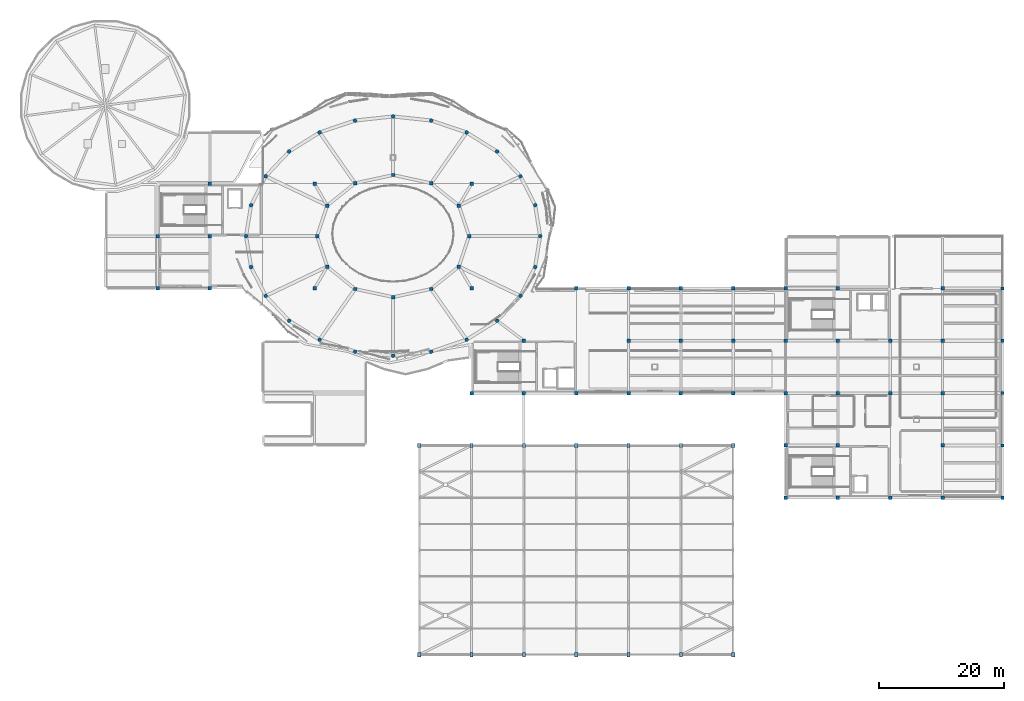
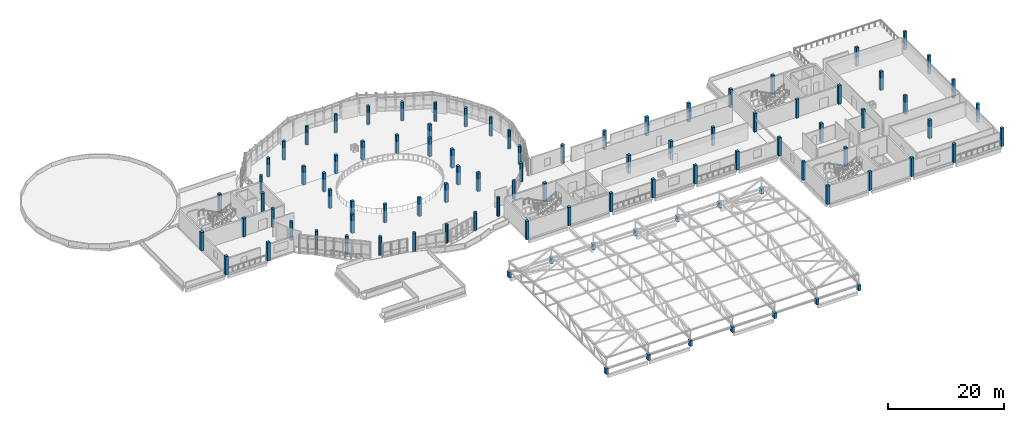
# One storey, part 1 of 74: 96 columns.
"""IFC4 building model written with IfcOpenShell, lengths in metres."""

import ifcopenshell
import ifcopenshell.guid

model = None  # the IFC model being written
_history = None  # IfcOwnerHistory: only IFC2X3 demands one
_inside = {}  # id of a spatial element -> (the spatial element, [elements in it])
_under = {}  # id of a project, library or spatial element -> (it, [spatial elements below it])
_declared = {}  # id of a project -> (the project, [libraries it declares])
_typed = {}  # id of a type object -> (the type object, [elements of that type])
_made_of = {}  # id of a material, layer set ... -> (it, [elements and type objects made of it])


def new_model(schema):
    """Start an empty IFC model of exactly this schema.

    Asked for "IFC4X3", IfcOpenShell would pick the latest addendum, in which some entities
    have other attributes; the version numbers below select the first issue.
    IFC2X3 requires an IfcOwnerHistory on every rooted entity: one is made here for all.
    """
    global model, _history
    if schema == "IFC4X3":
        model = ifcopenshell.file(schema_version=(4, 3, 0, 0))
    else:
        model = ifcopenshell.file(schema=schema)
    _inside.clear()
    _under.clear()
    _declared.clear()
    _typed.clear()
    _made_of.clear()
    _history = None
    if model.schema == "IFC2X3":
        org = make("IfcOrganization", Name="unknown")
        user = make(
            "IfcPersonAndOrganization",
            ThePerson=make("IfcPerson", FamilyName="unknown"),
            TheOrganization=org,
        )
        app = make(
            "IfcApplication",
            ApplicationDeveloper=org,
            Version="unknown",
            ApplicationFullName="unknown",
            ApplicationIdentifier="unknown",
        )
        _history = make(
            "IfcOwnerHistory",
            OwningUser=user,
            OwningApplication=app,
            ChangeAction="ADDED",
            CreationDate=0,
        )
    return model


def make(cls, **values):
    """One entity of the class cls with the attributes given. An attribute that is None is left unset."""
    return model.create_entity(
        cls, **{name: value for name, value in values.items() if value is not None}
    )


def rooted(cls, **values):
    """An entity with a GlobalId (a new one), such as an element, a storey or a relation."""
    return make(cls, GlobalId=ifcopenshell.guid.new(), OwnerHistory=_history, **values)


def si_unit(unit_type, name, prefix=None):
    """IfcSIUnit, for example si_unit("LENGTHUNIT", "METRE", prefix="MILLI")."""
    return make("IfcSIUnit", UnitType=unit_type, Prefix=prefix, Name=name)


def derived_unit(unit_type, elements):
    """IfcDerivedUnit: a product of units, each with its exponent."""
    return make(
        "IfcDerivedUnit",
        Elements=[
            make("IfcDerivedUnitElement", Unit=unit, Exponent=power)
            for unit, power in elements
        ],
        UnitType=unit_type,
    )


def assignment(units):
    """IfcUnitAssignment: the units of a project."""
    return None if units is None else make("IfcUnitAssignment", Units=units)


def point(xyz):
    """IfcCartesianPoint."""
    return None if xyz is None else make("IfcCartesianPoint", Coordinates=xyz)


def direction(xyz):
    """IfcDirection."""
    return None if xyz is None else make("IfcDirection", DirectionRatios=xyz)


def frame(location, z_axis=None, x_axis=None):
    """IfcAxis2Placement3D, a coordinate frame: its origin and axes. An axis left out is left unset."""
    return make(
        "IfcAxis2Placement3D",
        Location=point(location),
        Axis=direction(z_axis),
        RefDirection=direction(x_axis),
    )


def frame_2d(location, x_axis=None):
    """IfcAxis2Placement2D, a coordinate frame in the plane: its origin and x axis."""
    return make(
        "IfcAxis2Placement2D", Location=point(location), RefDirection=direction(x_axis)
    )


def origin():
    """The frame at (0, 0, 0) with its axes left unset."""
    return frame((0.0, 0.0, 0.0))


def origin_2d():
    """The frame at (0, 0) in the plane with its x axis left unset."""
    return frame_2d((0.0, 0.0))


def place(relative_to, where):
    """IfcLocalPlacement: puts the frame where relative to a parent placement (None: the world)."""
    return make(
        "IfcLocalPlacement", PlacementRelTo=relative_to, RelativePlacement=where
    )


def context(
    kind, dimensions, precision=None, world=None, true_north=None, identifier=None
):
    """IfcGeometricRepresentationContext, for example the 3D "Model" context."""
    return make(
        "IfcGeometricRepresentationContext",
        ContextIdentifier=identifier,
        ContextType=kind,
        CoordinateSpaceDimension=dimensions,
        Precision=precision,
        WorldCoordinateSystem=world,
        TrueNorth=true_north,
    )


def subcontext(parent, identifier, kind, view, scale=None):
    """IfcGeometricRepresentationSubContext, for example "Body" below "Model"."""
    return make(
        "IfcGeometricRepresentationSubContext",
        ContextIdentifier=identifier,
        ContextType=kind,
        ParentContext=parent,
        TargetScale=scale,
        TargetView=view,
    )


def project(units=None, contexts=None):
    """IfcProject with its units and contexts."""
    return rooted(
        "IfcProject",
        Name="project",
        RepresentationContexts=contexts,
        UnitsInContext=assignment(units),
    )


def spatial(cls, under=None, at=None, **own):
    """A site, building, storey or space (cls), placed at a placement, below another one or the project."""
    s = rooted(cls, ObjectPlacement=at, **own)
    if under is not None:
        _under.setdefault(under.id(), (under, []))[1].append(s)
    return s


def profile(cls, at=None, kind="AREA", **sizes):
    """A parametric profile (cls). Its sizes go by their IFC names, for example OverallWidth=200.0."""
    return make(cls, ProfileType=kind, Position=at, **sizes)


def rectangle(**sizes):
    """IfcRectangleProfileDef."""
    return profile("IfcRectangleProfileDef", **sizes)


def circle(**sizes):
    """IfcCircleProfileDef."""
    return profile("IfcCircleProfileDef", **sizes)


def extrude(swept, where, along, depth):
    """IfcExtrudedAreaSolid: the profile swept, set in the frame where, extruded along a direction by depth."""
    return make(
        "IfcExtrudedAreaSolid",
        SweptArea=swept,
        Position=where,
        ExtrudedDirection=direction(along),
        Depth=depth,
    )


def shape(context_of_items, identifier, shape_type, items):
    """IfcShapeRepresentation: the items that make up one representation, for example the "Body"."""
    return make(
        "IfcShapeRepresentation",
        ContextOfItems=context_of_items,
        RepresentationIdentifier=identifier,
        RepresentationType=shape_type,
        Items=items,
    )


def material(Name=None, Category=None):
    """IfcMaterial."""
    return make("IfcMaterial", Name=Name, Category=Category)


def material_profile(
    of_material, cross_section, Name=None, Category=None, Priority=None
):
    """IfcMaterialProfile: a cross section and its material."""
    return make(
        "IfcMaterialProfile",
        Name=Name,
        Material=of_material,
        Profile=cross_section,
        Priority=Priority,
        Category=Category,
    )


def profile_set(profiles, Name=None, composite=None):
    """IfcMaterialProfileSet."""
    return make(
        "IfcMaterialProfileSet",
        Name=Name,
        MaterialProfiles=profiles,
        CompositeProfile=composite,
    )


def made_of(thing, what):
    """Note that an element or type object is made of a material, layer set ...; save() writes the relation."""
    if what is not None:
        _made_of.setdefault(what.id(), (what, []))[1].append(thing)
    return thing


def type_object(cls, material=None, **own):
    """A type object (cls), such as IfcWallType, which elements share."""
    return made_of(rooted(cls, **own), material)


def element(
    cls,
    number,
    at=None,
    inside=None,
    cuts=None,
    type_object=None,
    material=None,
    context=None,
    identifier="Body",
    shape_type=None,
    held_by="IfcProductDefinitionShape",
    body=None,
    shapes=None,
    **own,
):
    """One element of the class cls, such as IfcWall. Its Tag is "e" and its number.

    at: its placement. inside: the storey or other place that contains it. cuts: it is an
    opening in that element (IfcRelVoidsElement). A single representation is given by context,
    identifier, shape_type and body (its items); several are given by shapes. held_by: the class
    of the entity that holds the representations. save() writes the other relations.
    """
    e = rooted(cls, Tag="e%d" % number, ObjectPlacement=at, **own)
    if body is not None:
        shapes = [shape(context, identifier, shape_type, body)]
    if shapes is not None:
        e.Representation = make(held_by, Representations=shapes)
    if inside is not None:
        _inside.setdefault(inside.id(), (inside, []))[1].append(e)
    if cuts is not None:
        rooted(
            "IfcRelVoidsElement", RelatingBuildingElement=cuts, RelatedOpeningElement=e
        )
    if type_object is not None:
        _typed.setdefault(type_object.id(), (type_object, []))[1].append(e)
    return made_of(e, material)


def aggregate(whole, parts):
    """IfcRelAggregates: a whole, such as a stair, and the parts it consists of."""
    return rooted("IfcRelAggregates", RelatingObject=whole, RelatedObjects=parts)


def save(model, path):
    """Write the relations noted so far, then the file.

    IfcRelAggregates (storeys below a building ...), IfcRelContainedInSpatialStructure (elements
    in a storey), IfcRelDefinesByType, IfcRelAssociatesMaterial and IfcRelDeclares: one each for
    every whole, place, type object, material and project.
    """
    for whole, parts in _under.values():
        aggregate(whole, parts)
    for where, things in _inside.values():
        rooted(
            "IfcRelContainedInSpatialStructure",
            RelatedElements=things,
            RelatingStructure=where,
        )
    for kind, things in _typed.values():
        rooted("IfcRelDefinesByType", RelatedObjects=things, RelatingType=kind)
    for what, things in _made_of.values():
        rooted("IfcRelAssociatesMaterial", RelatedObjects=things, RelatingMaterial=what)
    for by, libraries in _declared.values():
        rooted("IfcRelDeclares", RelatingContext=by, RelatedDefinitions=libraries)
    model.write(path)


model = new_model("IFC4")

# Units and contexts
model_context = context("Model", 3, precision=1e-05, world=origin(), true_north=direction((0.0, 1.0)))
body_context = subcontext(model_context, "Body", "Model", "MODEL_VIEW")
ifc_project = project(units=[si_unit("LENGTHUNIT", "METRE"), si_unit("AREAUNIT", "SQUARE_METRE"), si_unit("VOLUMEUNIT", "CUBIC_METRE"), si_unit("PLANEANGLEUNIT", "RADIAN"), si_unit("MASSUNIT", "GRAM", prefix="KILO"), derived_unit("THERMALTRANSMITTANCEUNIT", [(si_unit("POWERUNIT", "WATT"), 1), (si_unit("LENGTHUNIT", "METRE"), -2), (si_unit("THERMODYNAMICTEMPERATUREUNIT", "KELVIN"), -1)])], contexts=[model_context])

# Site, building, storey
site_placement = place(None, origin())
site = spatial("IfcSite", under=ifc_project, at=site_placement, CompositionType="ELEMENT")
building_placement = place(site_placement, origin())
building = spatial("IfcBuilding", under=site, at=building_placement, Name="Elbkamm Science Centre", CompositionType="ELEMENT")
storey_placement = place(building_placement, frame((0.0, 0.0, 14.39990234375)))
storey = spatial("IfcBuildingStorey", under=building, at=storey_placement, Name="L03", CompositionType="ELEMENT", Elevation=14.39990234375)

# Columns
ifc_material = material(Name="Concrete C40/50", Category="concrete")
ifc_material_profile_1 = material_profile(ifc_material, rectangle(XDim=0.5, YDim=0.5, at=origin_2d()), Name="RC 500x500")
ifc_profile_set_1 = profile_set([ifc_material_profile_1], Name="Concrete C40/50")
column_type_1 = type_object("IfcColumnType", Name="COL-RC-500", PredefinedType="COLUMN", material=ifc_profile_set_1)
for number, where, z_axis, x_axis, name in (
    (1, (160.800048828125, 25.199951171875, 0.0), (0.0, 0.0, 1.0), (1.0, 0.0, 0.0), "L03 Column GRID-20-D"),
    (2, (160.800048828125, 33.60009765625, 0.0), (0.0, 0.0, 1.0), (1.0, 0.0, 0.0), "L03 Column GRID-20-E"),
    (3, (160.800048828125, 42.0, 0.0), (0.0, 0.0, 1.0), (1.0, 0.0, 0.0), "L03 Column GRID-20-F"),
    (4, (160.800048828125, 50.39990234375, 0.0), (0.0, 0.0, 1.0), (1.0, 0.0, 0.0), "L03 Column GRID-20-G"),
    (5, (160.800048828125, 58.800048828125, 0.0), (0.0, 0.0, 1.0), (1.0, 0.0, 0.0), "L03 Column GRID-20-H"),
):
    element("IfcColumn", number, at=place(storey_placement, frame(where, z_axis=z_axis, x_axis=x_axis)), inside=storey, type_object=column_type_1, Name=name, PredefinedType="COLUMN", context=body_context, shape_type="SweptSolid", body=[
        extrude(rectangle(XDim=0.5, YDim=0.5, at=origin_2d()), origin(), (0.0, 0.0, 1.0), 3.900146484375),
    ])
ifc_material_profile_2 = material_profile(ifc_material, rectangle(XDim=0.5, YDim=0.699951171875, at=origin_2d()), Name="RC 500x700")
ifc_profile_set_2 = profile_set([ifc_material_profile_2], Name="Concrete C40/50")
column_type_2 = type_object("IfcColumnType", Name="COL-RC-500x700", PredefinedType="COLUMN", material=ifc_profile_set_2)
for number, where, z_axis, x_axis, name in (
    (6, (67.199951171875, 0.0, 0.0), (0.0, 0.0, 1.0), (1.0, 0.0, 0.0), "L03 Column TH-PIER-S01"),
    (7, (67.199951171875, 33.60009765625, 0.0), (0.0, 0.0, 1.0), (1.0, 0.0, 0.0), "L03 Column TH-PIER-N01"),
    (8, (75.60009765625, 0.0, 0.0), (0.0, 0.0, 1.0), (1.0, 0.0, 0.0), "L03 Column TH-PIER-S02"),
    (9, (75.60009765625, 33.60009765625, 0.0), (0.0, 0.0, 1.0), (1.0, 0.0, 0.0), "L03 Column TH-PIER-N02"),
    (10, (84.0, 0.0, 0.0), (0.0, 0.0, 1.0), (1.0, 0.0, 0.0), "L03 Column TH-PIER-S03"),
    (11, (84.0, 33.60009765625, 0.0), (0.0, 0.0, 1.0), (1.0, 0.0, 0.0), "L03 Column TH-PIER-N03"),
    (12, (92.39990234375, 0.0, 0.0), (0.0, 0.0, 1.0), (1.0, 0.0, 0.0), "L03 Column TH-PIER-S04"),
    (13, (92.39990234375, 33.60009765625, 0.0), (0.0, 0.0, 1.0), (1.0, 0.0, 0.0), "L03 Column TH-PIER-N04"),
    (14, (100.800048828125, 0.0, 0.0), (0.0, 0.0, 1.0), (1.0, 0.0, 0.0), "L03 Column TH-PIER-S05"),
    (15, (100.800048828125, 33.60009765625, 0.0), (0.0, 0.0, 1.0), (1.0, 0.0, 0.0), "L03 Column TH-PIER-N05"),
    (16, (109.199951171875, 0.0, 0.0), (0.0, 0.0, 1.0), (1.0, 0.0, 0.0), "L03 Column TH-PIER-S06"),
    (17, (109.199951171875, 33.60009765625, 0.0), (0.0, 0.0, 1.0), (1.0, 0.0, 0.0), "L03 Column TH-PIER-N06"),
    (18, (117.60009765625, 0.0, 0.0), (0.0, 0.0, 1.0), (1.0, 0.0, 0.0), "L03 Column TH-PIER-S07"),
    (19, (117.60009765625, 33.60009765625, 0.0), (0.0, 0.0, 1.0), (1.0, 0.0, 0.0), "L03 Column TH-PIER-N07"),
):
    element("IfcColumn", number, at=place(storey_placement, frame(where, z_axis=z_axis, x_axis=x_axis)), inside=storey, type_object=column_type_2, Name=name, PredefinedType="COLUMN", context=body_context, shape_type="SweptSolid", body=[
        extrude(rectangle(XDim=0.5, YDim=0.699951171875, at=origin_2d()), origin(), (0.0, 0.0, 1.0), 1.2001953125),
    ])
ifc_material_profile_3 = material_profile(ifc_material, rectangle(XDim=0.550048828125, YDim=0.550048828125, at=origin_2d()), Name="RC 550x550")
ifc_profile_set_3 = profile_set([ifc_material_profile_3], Name="Concrete C40/50")
column_type_3 = type_object("IfcColumnType", Name="COL-RC-550", PredefinedType="COLUMN", material=ifc_profile_set_3)
for number, where, z_axis, x_axis, name in (
    (20, (75.199951171875, 67.199951171875, 0.0), (0.0, 0.0, 1.0), (1.0, 0.0, 0.0), "L03 Column SH-IN-01"),
    (21, (73.56591796875, 72.10009765625, 0.0), (0.0, 0.0, 1.0), (1.0, 0.0, 0.0), "L03 Column SH-IN-02"),
    (22, (69.10009765625, 75.68701171875, 0.0), (0.0, 0.0, 1.0), (1.0, 0.0, 0.0), "L03 Column SH-IN-03"),
    (23, (63.0, 77.0, 0.0), (0.0, 0.0, 1.0), (1.0, 0.0, 0.0), "L03 Column SH-IN-04"),
    (24, (56.89990234375, 75.68701171875, 0.0), (0.0, 0.0, 1.0), (1.0, 0.0, 0.0), "L03 Column SH-IN-05"),
    (25, (52.43408203125, 72.10009765625, 0.0), (0.0, 0.0, 1.0), (1.0, 0.0, 0.0), "L03 Column SH-IN-06"),
    (26, (50.800048828125, 67.199951171875, 0.0), (0.0, 0.0, 1.0), (1.0, 0.0, 0.0), "L03 Column SH-IN-07"),
    (27, (52.43408203125, 62.300048828125, 0.0), (0.0, 0.0, 1.0), (1.0, 0.0, 0.0), "L03 Column SH-IN-08"),
    (28, (56.89990234375, 58.712890625, 0.0), (0.0, 0.0, 1.0), (1.0, 0.0, 0.0), "L03 Column SH-IN-09"),
    (29, (63.0, 57.39990234375, 0.0), (0.0, 0.0, 1.0), (1.0, 0.0, 0.0), "L03 Column SH-IN-10"),
    (30, (69.10009765625, 58.712890625, 0.0), (0.0, 0.0, 1.0), (1.0, 0.0, 0.0), "L03 Column SH-IN-11"),
    (31, (73.56591796875, 62.300048828125, 0.0), (0.0, 0.0, 1.0), (1.0, 0.0, 0.0), "L03 Column SH-IN-12"),
    (32, (25.199951171875, 58.800048828125, 0.0), (0.0, 0.0, 1.0), (1.0, 0.0, 0.0), "L03 Column GRID-4-H"),
    (33, (25.199951171875, 67.199951171875, 0.0), (0.0, 0.0, 1.0), (1.0, 0.0, 0.0), "L03 Column GRID-4-J"),
    (34, (33.60009765625, 58.800048828125, 0.0), (0.0, 0.0, 1.0), (1.0, 0.0, 0.0), "L03 Column GRID-5-H"),
    (35, (33.60009765625, 67.199951171875, 0.0), (0.0, 0.0, 1.0), (1.0, 0.0, 0.0), "L03 Column GRID-5-J"),
    (36, (33.60009765625, 75.60009765625, 0.0), (0.0, 0.0, 1.0), (1.0, 0.0, 0.0), "L03 Column GRID-5-K"),
    (37, (50.39990234375, 58.800048828125, 0.0), (0.0, 0.0, 1.0), (1.0, 0.0, 0.0), "L03 Column GRID-7-H"),
    (38, (50.39990234375, 75.60009765625, 0.0), (0.0, 0.0, 1.0), (1.0, 0.0, 0.0), "L03 Column GRID-7-K"),
    (39, (75.60009765625, 42.0, 0.0), (0.0, 0.0, 1.0), (1.0, 0.0, 0.0), "L03 Column GRID-10-F"),
    (40, (75.60009765625, 58.800048828125, 0.0), (0.0, 0.0, 1.0), (1.0, 0.0, 0.0), "L03 Column GRID-10-H"),
    (41, (75.60009765625, 75.60009765625, 0.0), (0.0, 0.0, 1.0), (1.0, 0.0, 0.0), "L03 Column GRID-10-K"),
    (42, (84.0, 42.0, 0.0), (0.0, 0.0, 1.0), (1.0, 0.0, 0.0), "L03 Column GRID-11-F"),
    (43, (84.0, 50.39990234375, 0.0), (0.0, 0.0, 1.0), (1.0, 0.0, 0.0), "L03 Column GRID-11-G"),
    (44, (92.39990234375, 42.0, 0.0), (0.0, 0.0, 1.0), (1.0, 0.0, 0.0), "L03 Column GRID-12-F"),
    (45, (92.39990234375, 58.800048828125, 0.0), (0.0, 0.0, 1.0), (1.0, 0.0, 0.0), "L03 Column GRID-12-H"),
    (46, (100.800048828125, 42.0, 0.0), (0.0, 0.0, 1.0), (1.0, 0.0, 0.0), "L03 Column GRID-13-F"),
    (47, (100.800048828125, 50.39990234375, 0.0), (0.0, 0.0, 1.0), (1.0, 0.0, 0.0), "L03 Column GRID-13-G"),
    (48, (100.800048828125, 58.800048828125, 0.0), (0.0, 0.0, 1.0), (1.0, 0.0, 0.0), "L03 Column GRID-13-H"),
    (49, (109.199951171875, 42.0, 0.0), (0.0, 0.0, 1.0), (1.0, 0.0, 0.0), "L03 Column GRID-14-F"),
    (50, (109.199951171875, 50.39990234375, 0.0), (0.0, 0.0, 1.0), (1.0, 0.0, 0.0), "L03 Column GRID-14-G"),
    (51, (109.199951171875, 58.800048828125, 0.0), (0.0, 0.0, 1.0), (1.0, 0.0, 0.0), "L03 Column GRID-14-H"),
    (52, (117.60009765625, 42.0, 0.0), (0.0, 0.0, 1.0), (1.0, 0.0, 0.0), "L03 Column GRID-15-F"),
    (53, (117.60009765625, 50.39990234375, 0.0), (0.0, 0.0, 1.0), (1.0, 0.0, 0.0), "L03 Column GRID-15-G"),
    (54, (117.60009765625, 58.800048828125, 0.0), (0.0, 0.0, 1.0), (1.0, 0.0, 0.0), "L03 Column GRID-15-H"),
    (55, (126.0, 25.199951171875, 0.0), (0.0, 0.0, 1.0), (1.0, 0.0, 0.0), "L03 Column GRID-16-D"),
    (56, (126.0, 33.60009765625, 0.0), (0.0, 0.0, 1.0), (1.0, 0.0, 0.0), "L03 Column GRID-16-E"),
    (57, (126.0, 42.0, 0.0), (0.0, 0.0, 1.0), (1.0, 0.0, 0.0), "L03 Column GRID-16-F"),
    (58, (126.0, 50.39990234375, 0.0), (0.0, 0.0, 1.0), (1.0, 0.0, 0.0), "L03 Column GRID-16-G"),
    (59, (126.0, 58.800048828125, 0.0), (0.0, 0.0, 1.0), (1.0, 0.0, 0.0), "L03 Column GRID-16-H"),
    (60, (134.39990234375, 25.199951171875, 0.0), (0.0, 0.0, 1.0), (1.0, 0.0, 0.0), "L03 Column GRID-17-D"),
    (61, (134.39990234375, 33.60009765625, 0.0), (0.0, 0.0, 1.0), (1.0, 0.0, 0.0), "L03 Column GRID-17-E"),
    (62, (134.39990234375, 42.0, 0.0), (0.0, 0.0, 1.0), (1.0, 0.0, 0.0), "L03 Column GRID-17-F"),
    (63, (134.39990234375, 50.39990234375, 0.0), (0.0, 0.0, 1.0), (1.0, 0.0, 0.0), "L03 Column GRID-17-G"),
    (64, (134.39990234375, 58.800048828125, 0.0), (0.0, 0.0, 1.0), (1.0, 0.0, 0.0), "L03 Column GRID-17-H"),
    (65, (142.800048828125, 25.199951171875, 0.0), (0.0, 0.0, 1.0), (1.0, 0.0, 0.0), "L03 Column GRID-18-D"),
    (66, (142.800048828125, 42.0, 0.0), (0.0, 0.0, 1.0), (1.0, 0.0, 0.0), "L03 Column GRID-18-F"),
    (67, (142.800048828125, 50.39990234375, 0.0), (0.0, 0.0, 1.0), (1.0, 0.0, 0.0), "L03 Column GRID-18-G"),
    (68, (151.199951171875, 25.199951171875, 0.0), (0.0, 0.0, 1.0), (1.0, 0.0, 0.0), "L03 Column GRID-19-D"),
    (69, (151.199951171875, 33.60009765625, 0.0), (0.0, 0.0, 1.0), (1.0, 0.0, 0.0), "L03 Column GRID-19-E"),
    (70, (151.199951171875, 42.0, 0.0), (0.0, 0.0, 1.0), (1.0, 0.0, 0.0), "L03 Column GRID-19-F"),
    (71, (151.199951171875, 50.39990234375, 0.0), (0.0, 0.0, 1.0), (1.0, 0.0, 0.0), "L03 Column GRID-19-G"),
    (72, (151.199951171875, 58.800048828125, 0.0), (0.0, 0.0, 1.0), (1.0, 0.0, 0.0), "L03 Column GRID-19-H"),
):
    element("IfcColumn", number, at=place(storey_placement, frame(where, z_axis=z_axis, x_axis=x_axis)), inside=storey, type_object=column_type_3, Name=name, PredefinedType="COLUMN", context=body_context, shape_type="SweptSolid", body=[
        extrude(rectangle(XDim=0.550048828125, YDim=0.550048828125, at=origin_2d()), origin(), (0.0, 0.0, 1.0), 3.900146484375),
    ])
ifc_material_profile_4 = material_profile(ifc_material, circle(Radius=0.300048828125, at=origin_2d()), Name="RC D600")
ifc_profile_set_4 = profile_set([ifc_material_profile_4], Name="Concrete C40/50")
column_type_4 = type_object("IfcColumnType", Name="COL-RC-D600", PredefinedType="COLUMN", material=ifc_profile_set_4)
for number, where, z_axis, x_axis, name in (
    (73, (86.60009765625, 67.199951171875, 0.0), (0.0, 0.0, 1.0), (1.0, 0.0, 0.0), "L03 Column SH-OUT-01"),
    (74, (85.7958984375, 72.1689453125, 0.0), (0.0, 0.0, 1.0), (1.0, 0.0, 0.0), "L03 Column SH-OUT-02"),
    (75, (83.43798828125, 76.800048828125, 0.0), (0.0, 0.0, 1.0), (1.0, 0.0, 0.0), "L03 Column SH-OUT-03"),
    (76, (79.68798828125, 80.77587890625, 0.0), (0.0, 0.0, 1.0), (1.0, 0.0, 0.0), "L03 Column SH-OUT-04"),
    (77, (74.800048828125, 83.827880859375, 0.0), (0.0, 0.0, 1.0), (1.0, 0.0, 0.0), "L03 Column SH-OUT-05"),
    (78, (69.10791015625, 85.74609375, 0.0), (0.0, 0.0, 1.0), (1.0, 0.0, 0.0), "L03 Column SH-OUT-06"),
    (79, (63.0, 86.39990234375, 0.0), (0.0, 0.0, 1.0), (1.0, 0.0, 0.0), "L03 Column SH-OUT-07"),
    (80, (56.89208984375, 85.74609375, 0.0), (0.0, 0.0, 1.0), (1.0, 0.0, 0.0), "L03 Column SH-OUT-08"),
    (81, (51.199951171875, 83.827880859375, 0.0), (0.0, 0.0, 1.0), (1.0, 0.0, 0.0), "L03 Column SH-OUT-09"),
    (82, (46.31201171875, 80.77587890625, 0.0), (0.0, 0.0, 1.0), (1.0, 0.0, 0.0), "L03 Column SH-OUT-10"),
    (83, (42.56201171875, 76.800048828125, 0.0), (0.0, 0.0, 1.0), (1.0, 0.0, 0.0), "L03 Column SH-OUT-11"),
    (84, (40.2041015625, 72.1689453125, 0.0), (0.0, 0.0, 1.0), (1.0, 0.0, 0.0), "L03 Column SH-OUT-12"),
    (85, (39.39990234375, 67.199951171875, 0.0), (0.0, 0.0, 1.0), (1.0, 0.0, 0.0), "L03 Column SH-OUT-13"),
    (86, (40.2041015625, 62.23095703125, 0.0), (0.0, 0.0, 1.0), (1.0, 0.0, 0.0), "L03 Column SH-OUT-14"),
    (87, (42.56201171875, 57.60009765625, 0.0), (0.0, 0.0, 1.0), (1.0, 0.0, 0.0), "L03 Column SH-OUT-15"),
    (88, (46.31201171875, 53.6240234375, 0.0), (0.0, 0.0, 1.0), (1.0, 0.0, 0.0), "L03 Column SH-OUT-16"),
    (89, (51.199951171875, 50.572021484375, 0.0), (0.0, 0.0, 1.0), (1.0, 0.0, 0.0), "L03 Column SH-OUT-17"),
    (90, (56.89208984375, 48.654052734375, 0.0), (0.0, 0.0, 1.0), (1.0, 0.0, 0.0), "L03 Column SH-OUT-18"),
    (91, (63.0, 48.0, 0.0), (0.0, 0.0, 1.0), (1.0, 0.0, 0.0), "L03 Column SH-OUT-19"),
    (92, (69.10791015625, 48.654052734375, 0.0), (0.0, 0.0, 1.0), (1.0, 0.0, 0.0), "L03 Column SH-OUT-20"),
    (93, (74.800048828125, 50.572021484375, 0.0), (0.0, 0.0, 1.0), (1.0, 0.0, 0.0), "L03 Column SH-OUT-21"),
    (94, (79.68798828125, 53.6240234375, 0.0), (0.0, 0.0, 1.0), (1.0, 0.0, 0.0), "L03 Column SH-OUT-22"),
    (95, (83.43798828125, 57.60009765625, 0.0), (0.0, 0.0, 1.0), (1.0, 0.0, 0.0), "L03 Column SH-OUT-23"),
    (96, (85.7958984375, 62.23095703125, 0.0), (0.0, 0.0, 1.0), (1.0, 0.0, 0.0), "L03 Column SH-OUT-24"),
):
    element("IfcColumn", number, at=place(storey_placement, frame(where, z_axis=z_axis, x_axis=x_axis)), inside=storey, type_object=column_type_4, Name=name, PredefinedType="COLUMN", context=body_context, shape_type="SweptSolid", body=[
        extrude(circle(Radius=0.300048828125, at=origin_2d()), origin(), (0.0, 0.0, 1.0), 3.900146484375),
    ])

save(model, "model.ifc")
